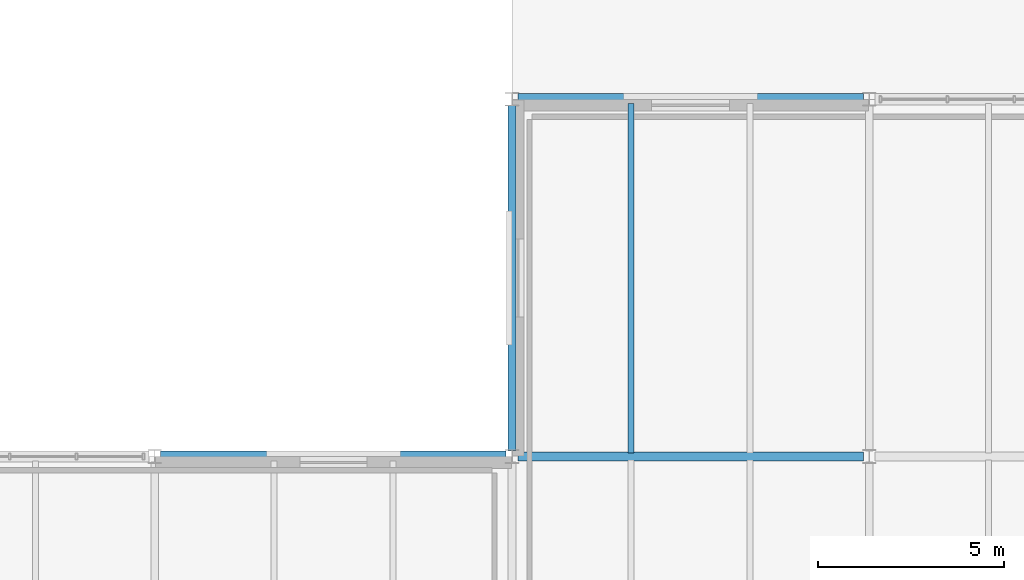
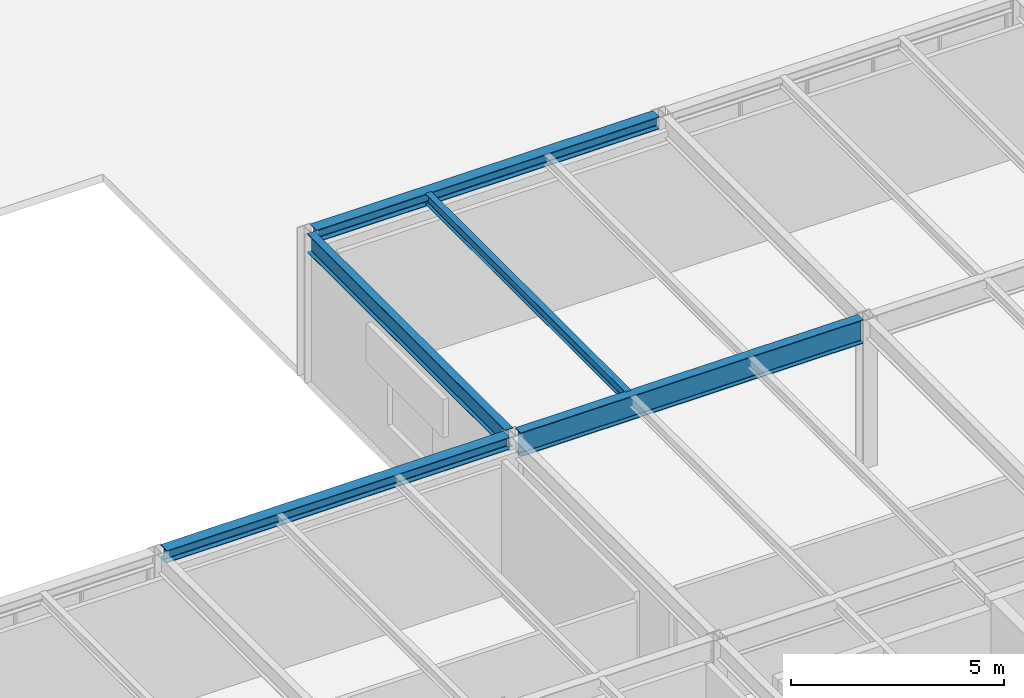
# One storey, part 118 of 170: 5 beams.
"""IFC4 building model written with IfcOpenShell, lengths in metres."""

import ifcopenshell
import ifcopenshell.guid

model = None  # the IFC model being written
_history = None  # IfcOwnerHistory: only IFC2X3 demands one
_inside = {}  # id of a spatial element -> (the spatial element, [elements in it])
_under = {}  # id of a project, library or spatial element -> (it, [spatial elements below it])
_declared = {}  # id of a project -> (the project, [libraries it declares])
_typed = {}  # id of a type object -> (the type object, [elements of that type])
_made_of = {}  # id of a material, layer set ... -> (it, [elements and type objects made of it])


def new_model(schema):
    """Start an empty IFC model of exactly this schema.

    Asked for "IFC4X3", IfcOpenShell would pick the latest addendum, in which some entities
    have other attributes; the version numbers below select the first issue.
    IFC2X3 requires an IfcOwnerHistory on every rooted entity: one is made here for all.
    """
    global model, _history
    if schema == "IFC4X3":
        model = ifcopenshell.file(schema_version=(4, 3, 0, 0))
    else:
        model = ifcopenshell.file(schema=schema)
    _inside.clear()
    _under.clear()
    _declared.clear()
    _typed.clear()
    _made_of.clear()
    _history = None
    if model.schema == "IFC2X3":
        org = make("IfcOrganization", Name="unknown")
        user = make(
            "IfcPersonAndOrganization",
            ThePerson=make("IfcPerson", FamilyName="unknown"),
            TheOrganization=org,
        )
        app = make(
            "IfcApplication",
            ApplicationDeveloper=org,
            Version="unknown",
            ApplicationFullName="unknown",
            ApplicationIdentifier="unknown",
        )
        _history = make(
            "IfcOwnerHistory",
            OwningUser=user,
            OwningApplication=app,
            ChangeAction="ADDED",
            CreationDate=0,
        )
    return model


def make(cls, **values):
    """One entity of the class cls with the attributes given. An attribute that is None is left unset."""
    return model.create_entity(
        cls, **{name: value for name, value in values.items() if value is not None}
    )


def rooted(cls, **values):
    """An entity with a GlobalId (a new one), such as an element, a storey or a relation."""
    return make(cls, GlobalId=ifcopenshell.guid.new(), OwnerHistory=_history, **values)


def si_unit(unit_type, name, prefix=None):
    """IfcSIUnit, for example si_unit("LENGTHUNIT", "METRE", prefix="MILLI")."""
    return make("IfcSIUnit", UnitType=unit_type, Prefix=prefix, Name=name)


def assignment(units):
    """IfcUnitAssignment: the units of a project."""
    return None if units is None else make("IfcUnitAssignment", Units=units)


def point(xyz):
    """IfcCartesianPoint."""
    return None if xyz is None else make("IfcCartesianPoint", Coordinates=xyz)


def direction(xyz):
    """IfcDirection."""
    return None if xyz is None else make("IfcDirection", DirectionRatios=xyz)


def frame(location, z_axis=None, x_axis=None):
    """IfcAxis2Placement3D, a coordinate frame: its origin and axes. An axis left out is left unset."""
    return make(
        "IfcAxis2Placement3D",
        Location=point(location),
        Axis=direction(z_axis),
        RefDirection=direction(x_axis),
    )


def frame_2d(location, x_axis=None):
    """IfcAxis2Placement2D, a coordinate frame in the plane: its origin and x axis."""
    return make(
        "IfcAxis2Placement2D", Location=point(location), RefDirection=direction(x_axis)
    )


def origin():
    """The frame at (0, 0, 0) with its axes left unset."""
    return frame((0.0, 0.0, 0.0))


def origin_2d():
    """The frame at (0, 0) in the plane with its x axis left unset."""
    return frame_2d((0.0, 0.0))


def place(relative_to, where):
    """IfcLocalPlacement: puts the frame where relative to a parent placement (None: the world)."""
    return make(
        "IfcLocalPlacement", PlacementRelTo=relative_to, RelativePlacement=where
    )


def context(
    kind, dimensions, precision=None, world=None, true_north=None, identifier=None
):
    """IfcGeometricRepresentationContext, for example the 3D "Model" context."""
    return make(
        "IfcGeometricRepresentationContext",
        ContextIdentifier=identifier,
        ContextType=kind,
        CoordinateSpaceDimension=dimensions,
        Precision=precision,
        WorldCoordinateSystem=world,
        TrueNorth=true_north,
    )


def subcontext(parent, identifier, kind, view, scale=None):
    """IfcGeometricRepresentationSubContext, for example "Body" below "Model"."""
    return make(
        "IfcGeometricRepresentationSubContext",
        ContextIdentifier=identifier,
        ContextType=kind,
        ParentContext=parent,
        TargetScale=scale,
        TargetView=view,
    )


def project(units=None, contexts=None):
    """IfcProject with its units and contexts."""
    return rooted(
        "IfcProject",
        Name="project",
        RepresentationContexts=contexts,
        UnitsInContext=assignment(units),
    )


def spatial(cls, under=None, at=None, **own):
    """A site, building, storey or space (cls), placed at a placement, below another one or the project."""
    s = rooted(cls, ObjectPlacement=at, **own)
    if under is not None:
        _under.setdefault(under.id(), (under, []))[1].append(s)
    return s


def profile(cls, at=None, kind="AREA", **sizes):
    """A parametric profile (cls). Its sizes go by their IFC names, for example OverallWidth=200.0."""
    return make(cls, ProfileType=kind, Position=at, **sizes)


def i_section(**sizes):
    """IfcIShapeProfileDef."""
    return profile("IfcIShapeProfileDef", **sizes)


def extrude(swept, where, along, depth):
    """IfcExtrudedAreaSolid: the profile swept, set in the frame where, extruded along a direction by depth."""
    return make(
        "IfcExtrudedAreaSolid",
        SweptArea=swept,
        Position=where,
        ExtrudedDirection=direction(along),
        Depth=depth,
    )


def shape(context_of_items, identifier, shape_type, items):
    """IfcShapeRepresentation: the items that make up one representation, for example the "Body"."""
    return make(
        "IfcShapeRepresentation",
        ContextOfItems=context_of_items,
        RepresentationIdentifier=identifier,
        RepresentationType=shape_type,
        Items=items,
    )


def material(Name=None, Category=None):
    """IfcMaterial."""
    return make("IfcMaterial", Name=Name, Category=Category)


def material_profile(
    of_material, cross_section, Name=None, Category=None, Priority=None
):
    """IfcMaterialProfile: a cross section and its material."""
    return make(
        "IfcMaterialProfile",
        Name=Name,
        Material=of_material,
        Profile=cross_section,
        Priority=Priority,
        Category=Category,
    )


def profile_set(profiles, Name=None, composite=None):
    """IfcMaterialProfileSet."""
    return make(
        "IfcMaterialProfileSet",
        Name=Name,
        MaterialProfiles=profiles,
        CompositeProfile=composite,
    )


def made_of(thing, what):
    """Note that an element or type object is made of a material, layer set ...; save() writes the relation."""
    if what is not None:
        _made_of.setdefault(what.id(), (what, []))[1].append(thing)
    return thing


def type_object(cls, material=None, **own):
    """A type object (cls), such as IfcWallType, which elements share."""
    return made_of(rooted(cls, **own), material)


def element(
    cls,
    number,
    at=None,
    inside=None,
    cuts=None,
    type_object=None,
    material=None,
    context=None,
    identifier="Body",
    shape_type=None,
    held_by="IfcProductDefinitionShape",
    body=None,
    shapes=None,
    **own,
):
    """One element of the class cls, such as IfcWall. Its Tag is "e" and its number.

    at: its placement. inside: the storey or other place that contains it. cuts: it is an
    opening in that element (IfcRelVoidsElement). A single representation is given by context,
    identifier, shape_type and body (its items); several are given by shapes. held_by: the class
    of the entity that holds the representations. save() writes the other relations.
    """
    e = rooted(cls, Tag="e%d" % number, ObjectPlacement=at, **own)
    if body is not None:
        shapes = [shape(context, identifier, shape_type, body)]
    if shapes is not None:
        e.Representation = make(held_by, Representations=shapes)
    if inside is not None:
        _inside.setdefault(inside.id(), (inside, []))[1].append(e)
    if cuts is not None:
        rooted(
            "IfcRelVoidsElement", RelatingBuildingElement=cuts, RelatedOpeningElement=e
        )
    if type_object is not None:
        _typed.setdefault(type_object.id(), (type_object, []))[1].append(e)
    return made_of(e, material)


def aggregate(whole, parts):
    """IfcRelAggregates: a whole, such as a stair, and the parts it consists of."""
    return rooted("IfcRelAggregates", RelatingObject=whole, RelatedObjects=parts)


def save(model, path):
    """Write the relations noted so far, then the file.

    IfcRelAggregates (storeys below a building ...), IfcRelContainedInSpatialStructure (elements
    in a storey), IfcRelDefinesByType, IfcRelAssociatesMaterial and IfcRelDeclares: one each for
    every whole, place, type object, material and project.
    """
    for whole, parts in _under.values():
        aggregate(whole, parts)
    for where, things in _inside.values():
        rooted(
            "IfcRelContainedInSpatialStructure",
            RelatedElements=things,
            RelatingStructure=where,
        )
    for kind, things in _typed.values():
        rooted("IfcRelDefinesByType", RelatedObjects=things, RelatingType=kind)
    for what, things in _made_of.values():
        rooted("IfcRelAssociatesMaterial", RelatedObjects=things, RelatingMaterial=what)
    for by, libraries in _declared.values():
        rooted("IfcRelDeclares", RelatingContext=by, RelatedDefinitions=libraries)
    model.write(path)


model = new_model("IFC4")

# Units and contexts
model_context = context("Model", 3, precision=1e-05, world=origin(), true_north=direction((0.0, 1.0)))
body_context = subcontext(model_context, "Body", "Model", "MODEL_VIEW")
ifc_project = project(units=[si_unit("LENGTHUNIT", "METRE"), si_unit("AREAUNIT", "SQUARE_METRE"), si_unit("VOLUMEUNIT", "CUBIC_METRE"), si_unit("PLANEANGLEUNIT", "RADIAN"), si_unit("MASSUNIT", "GRAM", prefix="KILO")], contexts=[model_context])

# Site, building, storey
site_placement = place(None, origin())
site = spatial("IfcSite", under=ifc_project, at=site_placement, CompositionType="ELEMENT")
building_placement = place(site_placement, origin())
building = spatial("IfcBuilding", under=site, at=building_placement, Name="Coralgate Yard Interchange", CompositionType="ELEMENT")
storey_placement = place(building_placement, frame((0.0, 0.0, 6.0)))
storey = spatial("IfcBuildingStorey", under=building, at=storey_placement, Name="L01", CompositionType="ELEMENT", Elevation=6.0)

# Beams
ifc_material = material(Name="Structural steel S355J2", Category="steel")
ifc_material_profile_1 = material_profile(ifc_material, i_section(OverallWidth=0.209228515625, OverallDepth=0.533203125, WebThickness=0.010009765625, FlangeThickness=0.015625, FilletRadius=0.0126953125, at=origin_2d()), Name="UB 533x210x92")
ifc_profile_set_1 = profile_set([ifc_material_profile_1], Name="Structural steel S355J2")
beam_type_1 = type_object("IfcBeamType", Name="BM-SB-1", PredefinedType="BEAM", material=ifc_profile_set_1)
beam_1_placement = place(storey_placement, frame((153.60009765625, 19.35400390625, 3.9833984375), z_axis=(0.0, 1.0, 0.0), x_axis=(-1.0, 0.0, 0.0)))
element("IfcBeam", 1, at=beam_1_placement, inside=storey, type_object=beam_type_1, Name="L01 primary grid girder X16 Y2-3", PredefinedType="BEAM", context=body_context, shape_type="SweptSolid", body=[
    extrude(i_section(OverallWidth=0.209228515625, OverallDepth=0.533203125, WebThickness=0.010009765625, FlangeThickness=0.015625, FilletRadius=0.0126953125, at=origin_2d()), origin(), (0.0, 0.0, 1.0), 9.2919921875),
])
ifc_material_profile_2 = material_profile(ifc_material, i_section(OverallWidth=0.253662109375, OverallDepth=0.68359375, WebThickness=0.012451171875, FlangeThickness=0.01904296875, FilletRadius=0.01513671875, at=origin_2d()), Name="UB 686x254x140")
ifc_profile_set_2 = profile_set([ifc_material_profile_2], Name="Structural steel S355J2")
beam_type_2 = type_object("IfcBeamType", Name="BM-SG-4", PredefinedType="BEAM", material=ifc_profile_set_2)
beam_2_placement = place(storey_placement, frame((153.75634765625, 19.199951171875, 3.908203125), z_axis=(1.0, 0.0, 0.0), x_axis=(0.0, 1.0, 0.0)))
element("IfcBeam", 2, at=beam_2_placement, inside=storey, type_object=beam_type_2, Name="L01 primary grid beam Y2 X16-17", PredefinedType="BEAM", context=body_context, shape_type="SweptSolid", body=[
    extrude(i_section(OverallWidth=0.253662109375, OverallDepth=0.68359375, WebThickness=0.012451171875, FlangeThickness=0.01904296875, FilletRadius=0.01513671875, at=origin_2d()), origin(), (0.0, 0.0, 1.0), 9.287353515625),
])
ifc_material_profile_3 = material_profile(ifc_material, i_section(OverallWidth=0.1650390625, OverallDepth=0.303466796875, WebThickness=0.006103515625, FlangeThickness=0.01025390625, FilletRadius=0.0087890625, at=origin_2d()), Name="UB 305x165x40")
ifc_profile_set_3 = profile_set([ifc_material_profile_3], Name="Structural steel S355J2")
beam_type_3 = type_object("IfcBeamType", Name="BM-SJ-1", PredefinedType="JOIST", material=ifc_profile_set_3)
beam_3_placement = place(storey_placement, frame((156.800048828125, 19.296875, 4.098388671875), z_axis=(0.0, 1.0, 0.0), x_axis=(-1.0, 0.0, 0.0)))
element("IfcBeam", 3, at=beam_3_placement, inside=storey, type_object=beam_type_3, Name="L01 composite floor joist 16-2-1", PredefinedType="JOIST", context=body_context, shape_type="SweptSolid", body=[
    extrude(i_section(OverallWidth=0.1650390625, OverallDepth=0.303466796875, WebThickness=0.006103515625, FlangeThickness=0.01025390625, FilletRadius=0.0087890625, at=origin_2d()), origin(), (0.0, 0.0, 1.0), 9.383056640625),
])
ifc_material_profile_4 = material_profile(ifc_material, i_section(OverallWidth=0.300048828125, OverallDepth=0.35009765625, WebThickness=0.010009765625, FlangeThickness=0.017578125, FilletRadius=0.027099609375, at=origin_2d()), Name="HEA 360")
ifc_profile_set_4 = profile_set([ifc_material_profile_4], Name="Structural steel S355J2")
beam_type_4 = type_object("IfcBeamType", Name="BM-SP-1", PredefinedType="SPANDREL", material=ifc_profile_set_4)
for number, where, z_axis, x_axis, name in (
    (4, (144.15625, 19.199951171875, 4.074951171875), (1.0, 0.0, 0.0), (0.0, 1.0, 0.0), "L01 primary grid beam Y2 X15-16"),
    (5, (153.75634765625, 28.800048828125, 4.074951171875), (1.0, 0.0, 0.0), (0.0, 1.0, 0.0), "L01 primary grid beam Y3 X16-17"),
):
    element("IfcBeam", number, at=place(storey_placement, frame(where, z_axis=z_axis, x_axis=x_axis)), inside=storey, type_object=beam_type_4, Name=name, PredefinedType="SPANDREL", context=body_context, shape_type="SweptSolid", body=[
        extrude(i_section(OverallWidth=0.300048828125, OverallDepth=0.35009765625, WebThickness=0.010009765625, FlangeThickness=0.017578125, FilletRadius=0.027099609375, at=origin_2d()), origin(), (0.0, 0.0, 1.0), 9.287353515625),
    ])

save(model, "model.ifc")
